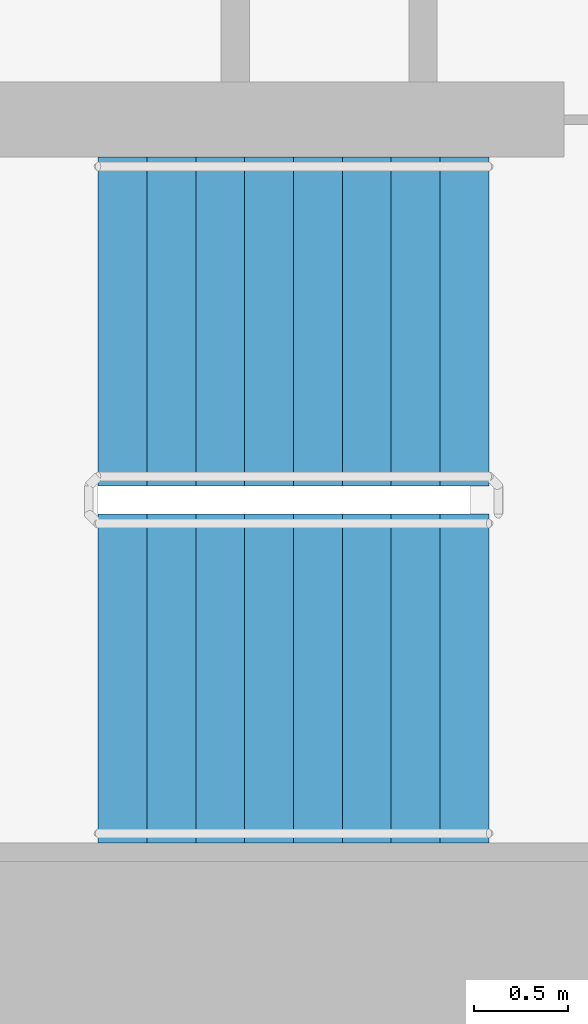
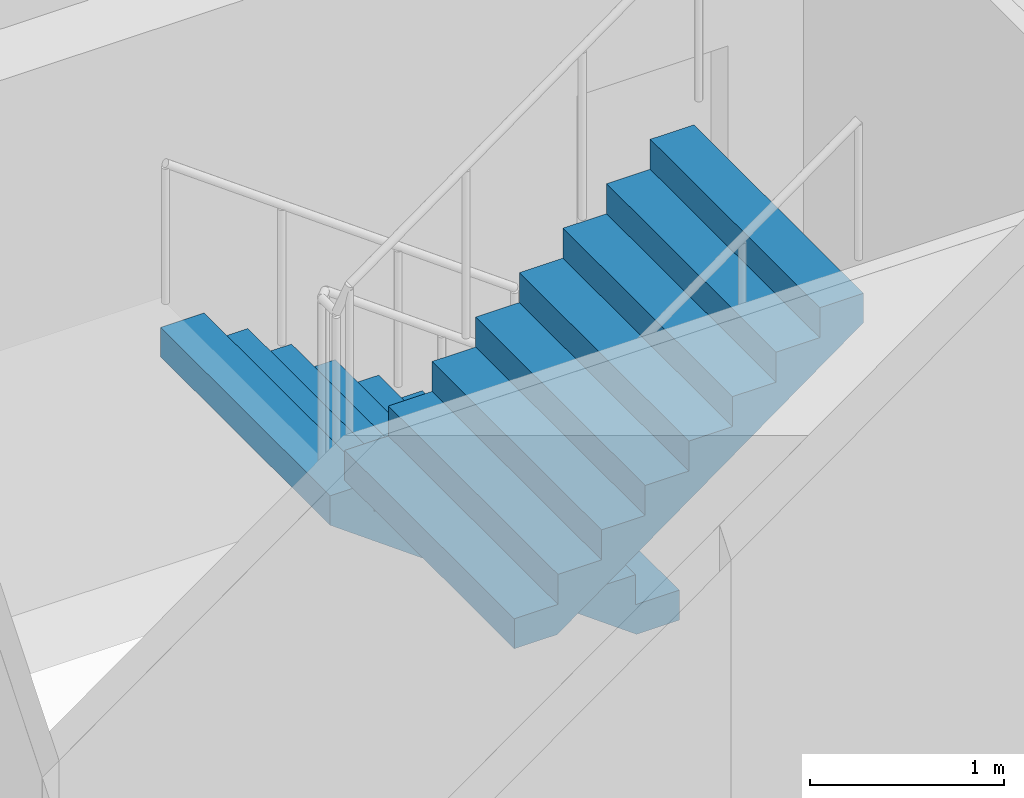
# One storey, part 17 of 23: 2 stair flights, 1 element without a shape of its own.
"""IFC4 building model written with IfcOpenShell, lengths in metres."""

from ifc_helpers import new_model, si_unit, direction, frame, origin, place, context, subcontext, project, spatial, faceted_brep, material, type_object, element, aggregate, save


model = new_model("IFC4")

# Units and contexts
model_context = context("Model", 3, precision=1e-05, world=origin(), true_north=direction((0.0, 1.0)))
body_context = subcontext(model_context, "Body", "Model", "MODEL_VIEW")
ifc_project = project(units=[si_unit("LENGTHUNIT", "METRE"), si_unit("AREAUNIT", "SQUARE_METRE"), si_unit("VOLUMEUNIT", "CUBIC_METRE"), si_unit("PLANEANGLEUNIT", "RADIAN"), si_unit("MASSUNIT", "GRAM", prefix="KILO")], contexts=[model_context])

# Site, building, storey
site_placement = place(None, origin())
site = spatial("IfcSite", under=ifc_project, at=site_placement, CompositionType="ELEMENT")
building_placement = place(site_placement, origin())
building = spatial("IfcBuilding", under=site, at=building_placement, Name="Ipe Terrace Towers", CompositionType="ELEMENT")
storey_placement = place(building_placement, frame((0.0, 0.0, 51.699951171875)))
storey = spatial("IfcBuildingStorey", under=building, at=storey_placement, Name="L13", CompositionType="ELEMENT", Elevation=51.699951171875)

# Stair, stair flights
ifc_material_1 = material(Name="Concrete C30/37", Category="concrete")
stair_type = type_object("IfcStairType", Name="Protected exit stair", PredefinedType="HALF_TURN_STAIR", material=ifc_material_1)
stair_placement = place(storey_placement, origin())
stair = element("IfcStair", 1, at=stair_placement, inside=storey, type_object=stair_type, Name="L13 Exit stair T1-C2", PredefinedType="HALF_TURN_STAIR")
ifc_material_2 = material(Name="Concrete C30/37", Category="concrete")
stair_flight_type = type_object("IfcStairFlightType", Name="Exit stair flight 1750", PredefinedType="STRAIGHT", material=ifc_material_2)
stair_flight_1_placement = place(storey_placement, frame((-45.699951171875, -2.77490234375, 0.0), z_axis=(0.0, 0.0, 1.0), x_axis=(-1.0, 0.0, 0.0)))
stair_flight_1 = element("IfcStairFlight", 2, at=stair_flight_1_placement, type_object=stair_flight_type, Name="T1-ST2 flight 1", NumberOfRisers=9, NumberOfTreads=8, PredefinedType="STRAIGHT", RiserHeight=0.188888889, TreadLength=0.26, context=body_context, shape_type="Brep", body=[
    faceted_brep([(0.255126953125, -0.875, 0.0), (2.080078125, -0.875, 1.325927734375), (2.080078125, -0.875, 1.51123046875), (1.820068359375, -0.875, 1.51123046875), (1.820068359375, -0.875, 1.322265625), (1.56005859375, -0.875, 1.322265625), (1.56005859375, -0.875, 1.13330078125), (1.300048828125, -0.875, 1.13330078125), (1.300048828125, -0.875, 0.9443359375), (1.0400390625, -0.875, 0.9443359375), (1.0400390625, -0.875, 0.755615234375), (0.780029296875, -0.875, 0.755615234375), (0.780029296875, -0.875, 0.566650390625), (0.52001953125, -0.875, 0.566650390625), (0.52001953125, -0.875, 0.377685546875), (0.260009765625, -0.875, 0.377685546875), (0.260009765625, -0.875, 0.18896484375), (0.0, -0.875, 0.18896484375), (0.0, -0.875, 0.0), (0.0, 0.875, 0.0), (0.0, 0.875, 0.18896484375), (0.260009765625, 0.875, 0.18896484375), (0.260009765625, 0.875, 0.377685546875), (0.52001953125, 0.875, 0.377685546875), (0.52001953125, 0.875, 0.566650390625), (0.780029296875, 0.875, 0.566650390625), (0.780029296875, 0.875, 0.755615234375), (1.0400390625, 0.875, 0.755615234375), (1.0400390625, 0.875, 0.9443359375), (1.300048828125, 0.875, 0.9443359375), (1.300048828125, 0.875, 1.13330078125), (1.56005859375, 0.875, 1.13330078125), (1.56005859375, 0.875, 1.322265625), (1.820068359375, 0.875, 1.322265625), (1.820068359375, 0.875, 1.51123046875), (2.080078125, 0.875, 1.51123046875), (2.080078125, 0.875, 1.325927734375), (0.255126953125, 0.875, 0.0), (0.0, -0.300048828125, 0.18896484375), (0.0, -0.1201171875, 0.18896484375), (0.0, -0.06005859375, 0.18896484375), (0.0, -0.030029296875, 0.18896484375), (0.0, -0.010009765625, 0.18896484375), (0.0, 0.0, 0.18896484375), (0.0, 0.010009765625, 0.18896484375), (0.0, 0.030029296875, 0.18896484375), (0.0, 0.06005859375, 0.18896484375), (0.0, 0.1201171875, 0.18896484375), (0.0, 0.300048828125, 0.18896484375), (0.0, 0.300048828125, 0.0), (0.0, 0.1201171875, 0.0), (0.0, 0.06005859375, 0.0), (0.0, 0.030029296875, 0.0), (0.0, 0.010009765625, 0.0), (0.0, 0.0, 0.0), (0.0, -0.010009765625, 0.0), (0.0, -0.030029296875, 0.0), (0.0, -0.06005859375, 0.0), (0.0, -0.1201171875, 0.0), (0.0, -0.300048828125, 0.0), (0.260009765625, -0.300048828125, 0.18896484375), (0.260009765625, -0.1201171875, 0.18896484375), (0.260009765625, -0.06005859375, 0.18896484375), (0.260009765625, -0.030029296875, 0.18896484375), (0.260009765625, -0.010009765625, 0.18896484375), (0.260009765625, 0.0, 0.18896484375), (0.260009765625, 0.010009765625, 0.18896484375), (0.260009765625, 0.030029296875, 0.18896484375), (0.260009765625, 0.06005859375, 0.18896484375), (0.260009765625, 0.1201171875, 0.18896484375), (0.260009765625, 0.300048828125, 0.18896484375), (0.260009765625, -0.300048828125, 0.377685546875), (0.260009765625, -0.1201171875, 0.377685546875), (0.260009765625, -0.06005859375, 0.377685546875), (0.260009765625, -0.030029296875, 0.377685546875), (0.260009765625, -0.010009765625, 0.377685546875), (0.260009765625, 0.0, 0.377685546875), (0.260009765625, 0.010009765625, 0.377685546875), (0.260009765625, 0.030029296875, 0.377685546875), (0.260009765625, 0.06005859375, 0.377685546875), (0.260009765625, 0.1201171875, 0.377685546875), (0.260009765625, 0.300048828125, 0.377685546875), (0.52001953125, -0.300048828125, 0.377685546875), (0.52001953125, -0.1201171875, 0.377685546875), (0.52001953125, -0.06005859375, 0.377685546875), (0.52001953125, -0.030029296875, 0.377685546875), (0.52001953125, -0.010009765625, 0.377685546875), (0.52001953125, 0.0, 0.377685546875), (0.52001953125, 0.010009765625, 0.377685546875), (0.52001953125, 0.030029296875, 0.377685546875), (0.52001953125, 0.06005859375, 0.377685546875), (0.52001953125, 0.1201171875, 0.377685546875), (0.52001953125, 0.300048828125, 0.377685546875), (0.52001953125, -0.300048828125, 0.566650390625), (0.52001953125, -0.1201171875, 0.566650390625), (0.52001953125, -0.06005859375, 0.566650390625), (0.52001953125, -0.030029296875, 0.566650390625), (0.52001953125, -0.010009765625, 0.566650390625), (0.52001953125, 0.0, 0.566650390625), (0.52001953125, 0.010009765625, 0.566650390625), (0.52001953125, 0.030029296875, 0.566650390625), (0.52001953125, 0.06005859375, 0.566650390625), (0.52001953125, 0.1201171875, 0.566650390625), (0.52001953125, 0.300048828125, 0.566650390625), (0.780029296875, -0.300048828125, 0.566650390625), (0.780029296875, -0.1201171875, 0.566650390625), (0.780029296875, -0.06005859375, 0.566650390625), (0.780029296875, -0.030029296875, 0.566650390625), (0.780029296875, -0.010009765625, 0.566650390625), (0.780029296875, 0.0, 0.566650390625), (0.780029296875, 0.010009765625, 0.566650390625), (0.780029296875, 0.030029296875, 0.566650390625), (0.780029296875, 0.06005859375, 0.566650390625), (0.780029296875, 0.1201171875, 0.566650390625), (0.780029296875, 0.300048828125, 0.566650390625), (0.780029296875, -0.300048828125, 0.755615234375), (0.780029296875, -0.1201171875, 0.755615234375), (0.780029296875, -0.06005859375, 0.755615234375), (0.780029296875, -0.030029296875, 0.755615234375), (0.780029296875, -0.010009765625, 0.755615234375), (0.780029296875, 0.0, 0.755615234375), (0.780029296875, 0.010009765625, 0.755615234375), (0.780029296875, 0.030029296875, 0.755615234375), (0.780029296875, 0.06005859375, 0.755615234375), (0.780029296875, 0.1201171875, 0.755615234375), (0.780029296875, 0.300048828125, 0.755615234375), (1.0400390625, -0.300048828125, 0.755615234375), (1.0400390625, -0.1201171875, 0.755615234375), (1.0400390625, -0.06005859375, 0.755615234375), (1.0400390625, -0.030029296875, 0.755615234375), (1.0400390625, -0.010009765625, 0.755615234375), (1.0400390625, 0.0, 0.755615234375), (1.0400390625, 0.010009765625, 0.755615234375), (1.0400390625, 0.030029296875, 0.755615234375), (1.0400390625, 0.06005859375, 0.755615234375), (1.0400390625, 0.1201171875, 0.755615234375), (1.0400390625, 0.300048828125, 0.755615234375), (1.0400390625, -0.300048828125, 0.9443359375), (1.0400390625, -0.1201171875, 0.9443359375), (1.0400390625, -0.06005859375, 0.9443359375), (1.0400390625, -0.030029296875, 0.9443359375), (1.0400390625, -0.010009765625, 0.9443359375), (1.0400390625, 0.0, 0.9443359375), (1.0400390625, 0.010009765625, 0.9443359375), (1.0400390625, 0.030029296875, 0.9443359375), (1.0400390625, 0.06005859375, 0.9443359375), (1.0400390625, 0.1201171875, 0.9443359375), (1.0400390625, 0.300048828125, 0.9443359375), (1.300048828125, -0.300048828125, 0.9443359375), (1.300048828125, -0.1201171875, 0.9443359375), (1.300048828125, -0.06005859375, 0.9443359375), (1.300048828125, -0.030029296875, 0.9443359375), (1.300048828125, -0.010009765625, 0.9443359375), (1.300048828125, 0.0, 0.9443359375), (1.300048828125, 0.010009765625, 0.9443359375), (1.300048828125, 0.030029296875, 0.9443359375), (1.300048828125, 0.06005859375, 0.9443359375), (1.300048828125, 0.1201171875, 0.9443359375), (1.300048828125, 0.300048828125, 0.9443359375), (1.300048828125, -0.300048828125, 1.13330078125), (1.300048828125, -0.1201171875, 1.13330078125), (1.300048828125, -0.06005859375, 1.13330078125), (1.300048828125, -0.030029296875, 1.13330078125), (1.300048828125, -0.010009765625, 1.13330078125), (1.300048828125, 0.0, 1.13330078125), (1.300048828125, 0.010009765625, 1.13330078125), (1.300048828125, 0.030029296875, 1.13330078125), (1.300048828125, 0.06005859375, 1.13330078125), (1.300048828125, 0.1201171875, 1.13330078125), (1.300048828125, 0.300048828125, 1.13330078125), (1.56005859375, -0.300048828125, 1.13330078125), (1.56005859375, -0.1201171875, 1.13330078125), (1.56005859375, -0.06005859375, 1.13330078125), (1.56005859375, -0.030029296875, 1.13330078125), (1.56005859375, -0.010009765625, 1.13330078125), (1.56005859375, 0.0, 1.13330078125), (1.56005859375, 0.010009765625, 1.13330078125), (1.56005859375, 0.030029296875, 1.13330078125), (1.56005859375, 0.06005859375, 1.13330078125), (1.56005859375, 0.1201171875, 1.13330078125), (1.56005859375, 0.300048828125, 1.13330078125), (1.56005859375, -0.300048828125, 1.322265625), (1.56005859375, -0.1201171875, 1.322265625), (1.56005859375, -0.06005859375, 1.322265625), (1.56005859375, -0.030029296875, 1.322265625), (1.56005859375, -0.010009765625, 1.322265625), (1.56005859375, 0.0, 1.322265625), (1.56005859375, 0.010009765625, 1.322265625), (1.56005859375, 0.030029296875, 1.322265625), (1.56005859375, 0.06005859375, 1.322265625), (1.56005859375, 0.1201171875, 1.322265625), (1.56005859375, 0.300048828125, 1.322265625), (1.820068359375, -0.300048828125, 1.322265625), (1.820068359375, -0.1201171875, 1.322265625), (1.820068359375, -0.06005859375, 1.322265625), (1.820068359375, -0.030029296875, 1.322265625), (1.820068359375, -0.010009765625, 1.322265625), (1.820068359375, 0.0, 1.322265625), (1.820068359375, 0.010009765625, 1.322265625), (1.820068359375, 0.030029296875, 1.322265625), (1.820068359375, 0.06005859375, 1.322265625), (1.820068359375, 0.1201171875, 1.322265625), (1.820068359375, 0.300048828125, 1.322265625), (1.820068359375, -0.300048828125, 1.51123046875), (1.820068359375, -0.1201171875, 1.51123046875), (1.820068359375, -0.06005859375, 1.51123046875), (1.820068359375, -0.030029296875, 1.51123046875), (1.820068359375, -0.010009765625, 1.51123046875), (1.820068359375, 0.0, 1.51123046875), (1.820068359375, 0.010009765625, 1.51123046875), (1.820068359375, 0.030029296875, 1.51123046875), (1.820068359375, 0.06005859375, 1.51123046875), (1.820068359375, 0.1201171875, 1.51123046875), (1.820068359375, 0.300048828125, 1.51123046875), (2.080078125, -0.300048828125, 1.51123046875), (2.080078125, -0.1201171875, 1.51123046875), (2.080078125, -0.06005859375, 1.51123046875), (2.080078125, -0.030029296875, 1.51123046875), (2.080078125, -0.010009765625, 1.51123046875), (2.080078125, 0.0, 1.51123046875), (2.080078125, 0.010009765625, 1.51123046875), (2.080078125, 0.030029296875, 1.51123046875), (2.080078125, 0.06005859375, 1.51123046875), (2.080078125, 0.1201171875, 1.51123046875), (2.080078125, 0.300048828125, 1.51123046875), (2.080078125, -0.300048828125, 1.325927734375), (2.080078125, -0.1201171875, 1.325927734375), (2.080078125, -0.06005859375, 1.325927734375), (2.080078125, -0.030029296875, 1.325927734375), (2.080078125, -0.010009765625, 1.325927734375), (2.080078125, 0.0, 1.325927734375), (2.080078125, 0.010009765625, 1.325927734375), (2.080078125, 0.030029296875, 1.325927734375), (2.080078125, 0.06005859375, 1.325927734375), (2.080078125, 0.1201171875, 1.325927734375), (2.080078125, 0.300048828125, 1.325927734375), (0.255126953125, -0.300048828125, 0.0), (0.255126953125, -0.1201171875, 0.0), (0.255126953125, -0.06005859375, 0.0), (0.255126953125, -0.030029296875, 0.0), (0.255126953125, -0.010009765625, 0.0), (0.255126953125, 0.0, 0.0), (0.255126953125, 0.010009765625, 0.0), (0.255126953125, 0.030029296875, 0.0), (0.255126953125, 0.06005859375, 0.0), (0.255126953125, 0.1201171875, 0.0), (0.255126953125, 0.300048828125, 0.0)], [[[0, 1, 2, 3, 4, 5, 6, 7, 8, 9, 10, 11, 12, 13, 14, 15, 16, 17, 18]], [[19, 20, 21, 22, 23, 24, 25, 26, 27, 28, 29, 30, 31, 32, 33, 34, 35, 36, 37]], [[17, 38, 39, 40, 41, 42, 43, 44, 45, 46, 47, 48, 20, 19, 49, 50, 51, 52, 53, 54, 55, 56, 57, 58, 59, 18]], [[16, 60, 61, 62, 63, 64, 65, 66, 67, 68, 69, 70, 21, 20, 48, 47, 46, 45, 44, 43, 42, 41, 40, 39, 38, 17]], [[15, 71, 72, 73, 74, 75, 76, 77, 78, 79, 80, 81, 22, 21, 70, 69, 68, 67, 66, 65, 64, 63, 62, 61, 60, 16]], [[14, 82, 83, 84, 85, 86, 87, 88, 89, 90, 91, 92, 23, 22, 81, 80, 79, 78, 77, 76, 75, 74, 73, 72, 71, 15]], [[13, 93, 94, 95, 96, 97, 98, 99, 100, 101, 102, 103, 24, 23, 92, 91, 90, 89, 88, 87, 86, 85, 84, 83, 82, 14]], [[12, 104, 105, 106, 107, 108, 109, 110, 111, 112, 113, 114, 25, 24, 103, 102, 101, 100, 99, 98, 97, 96, 95, 94, 93, 13]], [[11, 115, 116, 117, 118, 119, 120, 121, 122, 123, 124, 125, 26, 25, 114, 113, 112, 111, 110, 109, 108, 107, 106, 105, 104, 12]], [[10, 126, 127, 128, 129, 130, 131, 132, 133, 134, 135, 136, 27, 26, 125, 124, 123, 122, 121, 120, 119, 118, 117, 116, 115, 11]], [[9, 137, 138, 139, 140, 141, 142, 143, 144, 145, 146, 147, 28, 27, 136, 135, 134, 133, 132, 131, 130, 129, 128, 127, 126, 10]], [[8, 148, 149, 150, 151, 152, 153, 154, 155, 156, 157, 158, 29, 28, 147, 146, 145, 144, 143, 142, 141, 140, 139, 138, 137, 9]], [[7, 159, 160, 161, 162, 163, 164, 165, 166, 167, 168, 169, 30, 29, 158, 157, 156, 155, 154, 153, 152, 151, 150, 149, 148, 8]], [[6, 170, 171, 172, 173, 174, 175, 176, 177, 178, 179, 180, 31, 30, 169, 168, 167, 166, 165, 164, 163, 162, 161, 160, 159, 7]], [[5, 181, 182, 183, 184, 185, 186, 187, 188, 189, 190, 191, 32, 31, 180, 179, 178, 177, 176, 175, 174, 173, 172, 171, 170, 6]], [[4, 192, 193, 194, 195, 196, 197, 198, 199, 200, 201, 202, 33, 32, 191, 190, 189, 188, 187, 186, 185, 184, 183, 182, 181, 5]], [[3, 203, 204, 205, 206, 207, 208, 209, 210, 211, 212, 213, 34, 33, 202, 201, 200, 199, 198, 197, 196, 195, 194, 193, 192, 4]], [[2, 214, 215, 216, 217, 218, 219, 220, 221, 222, 223, 224, 35, 34, 213, 212, 211, 210, 209, 208, 207, 206, 205, 204, 203, 3]], [[1, 225, 226, 227, 228, 229, 230, 231, 232, 233, 234, 235, 36, 35, 224, 223, 222, 221, 220, 219, 218, 217, 216, 215, 214, 2]], [[0, 236, 237, 238, 239, 240, 241, 242, 243, 244, 245, 246, 37, 36, 235, 234, 233, 232, 231, 230, 229, 228, 227, 226, 225, 1]], [[18, 59, 58, 57, 56, 55, 54, 53, 52, 51, 50, 49, 19, 37, 246, 245, 244, 243, 242, 241, 240, 239, 238, 237, 236, 0]]]),
])
stair_flight_2_placement = place(storey_placement, frame((-47.780029296875, -4.675048828125, 1.699951171875), z_axis=(0.0, 0.0, 1.0), x_axis=(1.0, 0.0, 0.0)))
stair_flight_2 = element("IfcStairFlight", 3, at=stair_flight_2_placement, type_object=stair_flight_type, Name="T1-ST2 flight 2", NumberOfRisers=9, NumberOfTreads=8, PredefinedType="STRAIGHT", RiserHeight=0.188888889, TreadLength=0.26, context=body_context, shape_type="Brep", body=[
    faceted_brep([(0.255126953125, -0.875, 0.0), (2.080078125, -0.875, 1.325927734375), (2.080078125, -0.875, 1.51123046875), (1.820068359375, -0.875, 1.51123046875), (1.820068359375, -0.875, 1.322265625), (1.56005859375, -0.875, 1.322265625), (1.56005859375, -0.875, 1.13330078125), (1.300048828125, -0.875, 1.13330078125), (1.300048828125, -0.875, 0.9443359375), (1.0400390625, -0.875, 0.9443359375), (1.0400390625, -0.875, 0.755615234375), (0.780029296875, -0.875, 0.755615234375), (0.780029296875, -0.875, 0.566650390625), (0.52001953125, -0.875, 0.566650390625), (0.52001953125, -0.875, 0.377685546875), (0.260009765625, -0.875, 0.377685546875), (0.260009765625, -0.875, 0.18896484375), (0.0, -0.875, 0.18896484375), (0.0, -0.875, 0.0), (0.0, 0.875, 0.0), (0.0, 0.875, 0.18896484375), (0.260009765625, 0.875, 0.18896484375), (0.260009765625, 0.875, 0.377685546875), (0.52001953125, 0.875, 0.377685546875), (0.52001953125, 0.875, 0.566650390625), (0.780029296875, 0.875, 0.566650390625), (0.780029296875, 0.875, 0.755615234375), (1.0400390625, 0.875, 0.755615234375), (1.0400390625, 0.875, 0.9443359375), (1.300048828125, 0.875, 0.9443359375), (1.300048828125, 0.875, 1.13330078125), (1.56005859375, 0.875, 1.13330078125), (1.56005859375, 0.875, 1.322265625), (1.820068359375, 0.875, 1.322265625), (1.820068359375, 0.875, 1.51123046875), (2.080078125, 0.875, 1.51123046875), (2.080078125, 0.875, 1.325927734375), (0.255126953125, 0.875, 0.0), (0.0, -0.300048828125, 0.18896484375), (0.0, -0.1201171875, 0.18896484375), (0.0, -0.06005859375, 0.18896484375), (0.0, -0.030029296875, 0.18896484375), (0.0, -0.010009765625, 0.18896484375), (0.0, 0.0, 0.18896484375), (0.0, 0.010009765625, 0.18896484375), (0.0, 0.030029296875, 0.18896484375), (0.0, 0.06005859375, 0.18896484375), (0.0, 0.1201171875, 0.18896484375), (0.0, 0.300048828125, 0.18896484375), (0.0, 0.300048828125, 0.0), (0.0, 0.1201171875, 0.0), (0.0, 0.06005859375, 0.0), (0.0, 0.030029296875, 0.0), (0.0, 0.010009765625, 0.0), (0.0, 0.0, 0.0), (0.0, -0.010009765625, 0.0), (0.0, -0.030029296875, 0.0), (0.0, -0.06005859375, 0.0), (0.0, -0.1201171875, 0.0), (0.0, -0.300048828125, 0.0), (0.260009765625, -0.300048828125, 0.18896484375), (0.260009765625, -0.1201171875, 0.18896484375), (0.260009765625, -0.06005859375, 0.18896484375), (0.260009765625, -0.030029296875, 0.18896484375), (0.260009765625, -0.010009765625, 0.18896484375), (0.260009765625, 0.0, 0.18896484375), (0.260009765625, 0.010009765625, 0.18896484375), (0.260009765625, 0.030029296875, 0.18896484375), (0.260009765625, 0.06005859375, 0.18896484375), (0.260009765625, 0.1201171875, 0.18896484375), (0.260009765625, 0.300048828125, 0.18896484375), (0.260009765625, -0.300048828125, 0.377685546875), (0.260009765625, -0.1201171875, 0.377685546875), (0.260009765625, -0.06005859375, 0.377685546875), (0.260009765625, -0.030029296875, 0.377685546875), (0.260009765625, -0.010009765625, 0.377685546875), (0.260009765625, 0.0, 0.377685546875), (0.260009765625, 0.010009765625, 0.377685546875), (0.260009765625, 0.030029296875, 0.377685546875), (0.260009765625, 0.06005859375, 0.377685546875), (0.260009765625, 0.1201171875, 0.377685546875), (0.260009765625, 0.300048828125, 0.377685546875), (0.52001953125, -0.300048828125, 0.377685546875), (0.52001953125, -0.1201171875, 0.377685546875), (0.52001953125, -0.06005859375, 0.377685546875), (0.52001953125, -0.030029296875, 0.377685546875), (0.52001953125, -0.010009765625, 0.377685546875), (0.52001953125, 0.0, 0.377685546875), (0.52001953125, 0.010009765625, 0.377685546875), (0.52001953125, 0.030029296875, 0.377685546875), (0.52001953125, 0.06005859375, 0.377685546875), (0.52001953125, 0.1201171875, 0.377685546875), (0.52001953125, 0.300048828125, 0.377685546875), (0.52001953125, -0.300048828125, 0.566650390625), (0.52001953125, -0.1201171875, 0.566650390625), (0.52001953125, -0.06005859375, 0.566650390625), (0.52001953125, -0.030029296875, 0.566650390625), (0.52001953125, -0.010009765625, 0.566650390625), (0.52001953125, 0.0, 0.566650390625), (0.52001953125, 0.010009765625, 0.566650390625), (0.52001953125, 0.030029296875, 0.566650390625), (0.52001953125, 0.06005859375, 0.566650390625), (0.52001953125, 0.1201171875, 0.566650390625), (0.52001953125, 0.300048828125, 0.566650390625), (0.780029296875, -0.300048828125, 0.566650390625), (0.780029296875, -0.1201171875, 0.566650390625), (0.780029296875, -0.06005859375, 0.566650390625), (0.780029296875, -0.030029296875, 0.566650390625), (0.780029296875, -0.010009765625, 0.566650390625), (0.780029296875, 0.0, 0.566650390625), (0.780029296875, 0.010009765625, 0.566650390625), (0.780029296875, 0.030029296875, 0.566650390625), (0.780029296875, 0.06005859375, 0.566650390625), (0.780029296875, 0.1201171875, 0.566650390625), (0.780029296875, 0.300048828125, 0.566650390625), (0.780029296875, -0.300048828125, 0.755615234375), (0.780029296875, -0.1201171875, 0.755615234375), (0.780029296875, -0.06005859375, 0.755615234375), (0.780029296875, -0.030029296875, 0.755615234375), (0.780029296875, -0.010009765625, 0.755615234375), (0.780029296875, 0.0, 0.755615234375), (0.780029296875, 0.010009765625, 0.755615234375), (0.780029296875, 0.030029296875, 0.755615234375), (0.780029296875, 0.06005859375, 0.755615234375), (0.780029296875, 0.1201171875, 0.755615234375), (0.780029296875, 0.300048828125, 0.755615234375), (1.0400390625, -0.300048828125, 0.755615234375), (1.0400390625, -0.1201171875, 0.755615234375), (1.0400390625, -0.06005859375, 0.755615234375), (1.0400390625, -0.030029296875, 0.755615234375), (1.0400390625, -0.010009765625, 0.755615234375), (1.0400390625, 0.0, 0.755615234375), (1.0400390625, 0.010009765625, 0.755615234375), (1.0400390625, 0.030029296875, 0.755615234375), (1.0400390625, 0.06005859375, 0.755615234375), (1.0400390625, 0.1201171875, 0.755615234375), (1.0400390625, 0.300048828125, 0.755615234375), (1.0400390625, -0.300048828125, 0.9443359375), (1.0400390625, -0.1201171875, 0.9443359375), (1.0400390625, -0.06005859375, 0.9443359375), (1.0400390625, -0.030029296875, 0.9443359375), (1.0400390625, -0.010009765625, 0.9443359375), (1.0400390625, 0.0, 0.9443359375), (1.0400390625, 0.010009765625, 0.9443359375), (1.0400390625, 0.030029296875, 0.9443359375), (1.0400390625, 0.06005859375, 0.9443359375), (1.0400390625, 0.1201171875, 0.9443359375), (1.0400390625, 0.300048828125, 0.9443359375), (1.300048828125, -0.300048828125, 0.9443359375), (1.300048828125, -0.1201171875, 0.9443359375), (1.300048828125, -0.06005859375, 0.9443359375), (1.300048828125, -0.030029296875, 0.9443359375), (1.300048828125, -0.010009765625, 0.9443359375), (1.300048828125, 0.0, 0.9443359375), (1.300048828125, 0.010009765625, 0.9443359375), (1.300048828125, 0.030029296875, 0.9443359375), (1.300048828125, 0.06005859375, 0.9443359375), (1.300048828125, 0.1201171875, 0.9443359375), (1.300048828125, 0.300048828125, 0.9443359375), (1.300048828125, -0.300048828125, 1.13330078125), (1.300048828125, -0.1201171875, 1.13330078125), (1.300048828125, -0.06005859375, 1.13330078125), (1.300048828125, -0.030029296875, 1.13330078125), (1.300048828125, -0.010009765625, 1.13330078125), (1.300048828125, 0.0, 1.13330078125), (1.300048828125, 0.010009765625, 1.13330078125), (1.300048828125, 0.030029296875, 1.13330078125), (1.300048828125, 0.06005859375, 1.13330078125), (1.300048828125, 0.1201171875, 1.13330078125), (1.300048828125, 0.300048828125, 1.13330078125), (1.56005859375, -0.300048828125, 1.13330078125), (1.56005859375, -0.1201171875, 1.13330078125), (1.56005859375, -0.06005859375, 1.13330078125), (1.56005859375, -0.030029296875, 1.13330078125), (1.56005859375, -0.010009765625, 1.13330078125), (1.56005859375, 0.0, 1.13330078125), (1.56005859375, 0.010009765625, 1.13330078125), (1.56005859375, 0.030029296875, 1.13330078125), (1.56005859375, 0.06005859375, 1.13330078125), (1.56005859375, 0.1201171875, 1.13330078125), (1.56005859375, 0.300048828125, 1.13330078125), (1.56005859375, -0.300048828125, 1.322265625), (1.56005859375, -0.1201171875, 1.322265625), (1.56005859375, -0.06005859375, 1.322265625), (1.56005859375, -0.030029296875, 1.322265625), (1.56005859375, -0.010009765625, 1.322265625), (1.56005859375, 0.0, 1.322265625), (1.56005859375, 0.010009765625, 1.322265625), (1.56005859375, 0.030029296875, 1.322265625), (1.56005859375, 0.06005859375, 1.322265625), (1.56005859375, 0.1201171875, 1.322265625), (1.56005859375, 0.300048828125, 1.322265625), (1.820068359375, -0.300048828125, 1.322265625), (1.820068359375, -0.1201171875, 1.322265625), (1.820068359375, -0.06005859375, 1.322265625), (1.820068359375, -0.030029296875, 1.322265625), (1.820068359375, -0.010009765625, 1.322265625), (1.820068359375, 0.0, 1.322265625), (1.820068359375, 0.010009765625, 1.322265625), (1.820068359375, 0.030029296875, 1.322265625), (1.820068359375, 0.06005859375, 1.322265625), (1.820068359375, 0.1201171875, 1.322265625), (1.820068359375, 0.300048828125, 1.322265625), (1.820068359375, -0.300048828125, 1.51123046875), (1.820068359375, -0.1201171875, 1.51123046875), (1.820068359375, -0.06005859375, 1.51123046875), (1.820068359375, -0.030029296875, 1.51123046875), (1.820068359375, -0.010009765625, 1.51123046875), (1.820068359375, 0.0, 1.51123046875), (1.820068359375, 0.010009765625, 1.51123046875), (1.820068359375, 0.030029296875, 1.51123046875), (1.820068359375, 0.06005859375, 1.51123046875), (1.820068359375, 0.1201171875, 1.51123046875), (1.820068359375, 0.300048828125, 1.51123046875), (2.080078125, -0.300048828125, 1.51123046875), (2.080078125, -0.1201171875, 1.51123046875), (2.080078125, -0.06005859375, 1.51123046875), (2.080078125, -0.030029296875, 1.51123046875), (2.080078125, -0.010009765625, 1.51123046875), (2.080078125, 0.0, 1.51123046875), (2.080078125, 0.010009765625, 1.51123046875), (2.080078125, 0.030029296875, 1.51123046875), (2.080078125, 0.06005859375, 1.51123046875), (2.080078125, 0.1201171875, 1.51123046875), (2.080078125, 0.300048828125, 1.51123046875), (2.080078125, -0.300048828125, 1.325927734375), (2.080078125, -0.1201171875, 1.325927734375), (2.080078125, -0.06005859375, 1.325927734375), (2.080078125, -0.030029296875, 1.325927734375), (2.080078125, -0.010009765625, 1.325927734375), (2.080078125, 0.0, 1.325927734375), (2.080078125, 0.010009765625, 1.325927734375), (2.080078125, 0.030029296875, 1.325927734375), (2.080078125, 0.06005859375, 1.325927734375), (2.080078125, 0.1201171875, 1.325927734375), (2.080078125, 0.300048828125, 1.325927734375), (0.255126953125, -0.300048828125, 0.0), (0.255126953125, -0.1201171875, 0.0), (0.255126953125, -0.06005859375, 0.0), (0.255126953125, -0.030029296875, 0.0), (0.255126953125, -0.010009765625, 0.0), (0.255126953125, 0.0, 0.0), (0.255126953125, 0.010009765625, 0.0), (0.255126953125, 0.030029296875, 0.0), (0.255126953125, 0.06005859375, 0.0), (0.255126953125, 0.1201171875, 0.0), (0.255126953125, 0.300048828125, 0.0)], [[[0, 1, 2, 3, 4, 5, 6, 7, 8, 9, 10, 11, 12, 13, 14, 15, 16, 17, 18]], [[19, 20, 21, 22, 23, 24, 25, 26, 27, 28, 29, 30, 31, 32, 33, 34, 35, 36, 37]], [[17, 38, 39, 40, 41, 42, 43, 44, 45, 46, 47, 48, 20, 19, 49, 50, 51, 52, 53, 54, 55, 56, 57, 58, 59, 18]], [[16, 60, 61, 62, 63, 64, 65, 66, 67, 68, 69, 70, 21, 20, 48, 47, 46, 45, 44, 43, 42, 41, 40, 39, 38, 17]], [[15, 71, 72, 73, 74, 75, 76, 77, 78, 79, 80, 81, 22, 21, 70, 69, 68, 67, 66, 65, 64, 63, 62, 61, 60, 16]], [[14, 82, 83, 84, 85, 86, 87, 88, 89, 90, 91, 92, 23, 22, 81, 80, 79, 78, 77, 76, 75, 74, 73, 72, 71, 15]], [[13, 93, 94, 95, 96, 97, 98, 99, 100, 101, 102, 103, 24, 23, 92, 91, 90, 89, 88, 87, 86, 85, 84, 83, 82, 14]], [[12, 104, 105, 106, 107, 108, 109, 110, 111, 112, 113, 114, 25, 24, 103, 102, 101, 100, 99, 98, 97, 96, 95, 94, 93, 13]], [[11, 115, 116, 117, 118, 119, 120, 121, 122, 123, 124, 125, 26, 25, 114, 113, 112, 111, 110, 109, 108, 107, 106, 105, 104, 12]], [[10, 126, 127, 128, 129, 130, 131, 132, 133, 134, 135, 136, 27, 26, 125, 124, 123, 122, 121, 120, 119, 118, 117, 116, 115, 11]], [[9, 137, 138, 139, 140, 141, 142, 143, 144, 145, 146, 147, 28, 27, 136, 135, 134, 133, 132, 131, 130, 129, 128, 127, 126, 10]], [[8, 148, 149, 150, 151, 152, 153, 154, 155, 156, 157, 158, 29, 28, 147, 146, 145, 144, 143, 142, 141, 140, 139, 138, 137, 9]], [[7, 159, 160, 161, 162, 163, 164, 165, 166, 167, 168, 169, 30, 29, 158, 157, 156, 155, 154, 153, 152, 151, 150, 149, 148, 8]], [[6, 170, 171, 172, 173, 174, 175, 176, 177, 178, 179, 180, 31, 30, 169, 168, 167, 166, 165, 164, 163, 162, 161, 160, 159, 7]], [[5, 181, 182, 183, 184, 185, 186, 187, 188, 189, 190, 191, 32, 31, 180, 179, 178, 177, 176, 175, 174, 173, 172, 171, 170, 6]], [[4, 192, 193, 194, 195, 196, 197, 198, 199, 200, 201, 202, 33, 32, 191, 190, 189, 188, 187, 186, 185, 184, 183, 182, 181, 5]], [[3, 203, 204, 205, 206, 207, 208, 209, 210, 211, 212, 213, 34, 33, 202, 201, 200, 199, 198, 197, 196, 195, 194, 193, 192, 4]], [[2, 214, 215, 216, 217, 218, 219, 220, 221, 222, 223, 224, 35, 34, 213, 212, 211, 210, 209, 208, 207, 206, 205, 204, 203, 3]], [[1, 225, 226, 227, 228, 229, 230, 231, 232, 233, 234, 235, 36, 35, 224, 223, 222, 221, 220, 219, 218, 217, 216, 215, 214, 2]], [[0, 236, 237, 238, 239, 240, 241, 242, 243, 244, 245, 246, 37, 36, 235, 234, 233, 232, 231, 230, 229, 228, 227, 226, 225, 1]], [[18, 59, 58, 57, 56, 55, 54, 53, 52, 51, 50, 49, 19, 37, 246, 245, 244, 243, 242, 241, 240, 239, 238, 237, 236, 0]]]),
])
aggregate(stair, [stair_flight_1, stair_flight_2])

save(model, "model.ifc")
